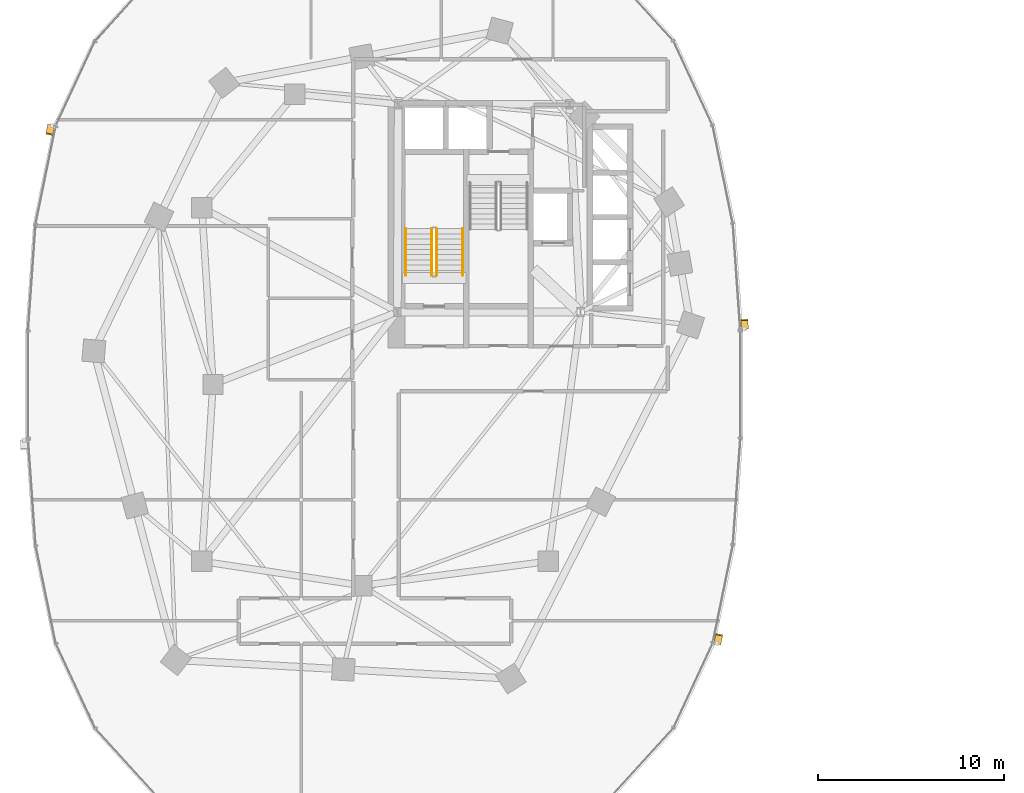
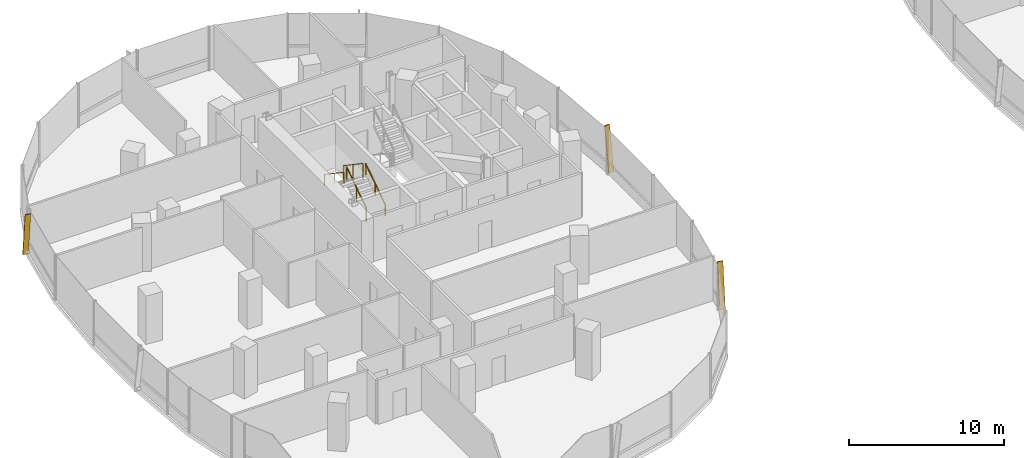
# One storey, part 19 of 22: 4 railings, 3 shading devices.
"""IFC4 building model written with IfcOpenShell, lengths in metres."""

from ifc_helpers import new_model, si_unit, direction, frame, origin, origin_2d, place, context, subcontext, project, spatial, rectangle, extrude, material, material_profile, profile_set, type_object, element, save


model = new_model("IFC4")

# Units and contexts
model_context = context("Model", 3, precision=1e-05, world=origin(), true_north=direction((0.0, 1.0)))
body_context = subcontext(model_context, "Body", "Model", "MODEL_VIEW")
ifc_project = project(units=[si_unit("LENGTHUNIT", "METRE"), si_unit("AREAUNIT", "SQUARE_METRE"), si_unit("VOLUMEUNIT", "CUBIC_METRE"), si_unit("PLANEANGLEUNIT", "RADIAN"), si_unit("MASSUNIT", "GRAM", prefix="KILO"), si_unit("THERMODYNAMICTEMPERATUREUNIT", "KELVIN"), si_unit("POWERUNIT", "WATT")], contexts=[model_context])

# Site, building, storey
site_placement = place(None, origin())
site = spatial("IfcSite", under=ifc_project, at=site_placement, CompositionType="ELEMENT")
building_placement = place(site_placement, origin())
building = spatial("IfcBuilding", under=site, at=building_placement, Name="Cundina Bronze Exchange", CompositionType="ELEMENT")
storey_placement = place(building_placement, frame((0.0, 0.0, 43.0)))
storey = spatial("IfcBuildingStorey", under=building, at=storey_placement, Name="L10", CompositionType="ELEMENT", Elevation=43.0)

# Railings
ifc_material_1 = material(Name="Steel ASTM A36 Painted", Category="steel")
railing_type_1 = type_object("IfcRailingType", Name="RLG-HND-900", PredefinedType="HANDRAIL", material=ifc_material_1)
railing_1_placement = place(storey_placement, frame((-27.7900390625, 5.85009765625, 0.18994140625)))
element("IfcRailing", 1, at=railing_1_placement, inside=storey, type_object=railing_type_1, Name="L10 ST-W1 stair handrail 1", PredefinedType="HANDRAIL", context=body_context, shape_type="SweptSolid", body=[
    extrude(rectangle(XDim=0.048095703125, YDim=0.048095703125, at=origin_2d()), frame((0.0, 0.0, 0.8759765625), z_axis=(0.0, 0.827483756001, 0.561489655786), x_axis=(-1.0, 0.0, 0.0)), (0.0, 0.0, 1.0), 3.04541015625),
    extrude(rectangle(XDim=0.0419921875, YDim=0.0419921875, at=origin_2d()), origin(), (0.0, 0.0, 1.0), 0.851806640625),
    extrude(rectangle(XDim=0.0419921875, YDim=0.0419921875, at=origin_2d()), frame((0.0, 1.260009765625, 0.85498046875)), (0.0, 0.0, 1.0), 0.851806640625),
    extrude(rectangle(XDim=0.0419921875, YDim=0.0419921875, at=origin_2d()), frame((0.0, 2.52001953125, 1.7099609375)), (0.0, 0.0, 1.0), 0.851806640625),
])
railing_2_placement = place(storey_placement, frame((-30.85009765625, 8.3701171875, 2.090087890625)))
element("IfcRailing", 2, at=railing_2_placement, inside=storey, type_object=railing_type_1, Name="L10 ST-W1 stair handrail 2", PredefinedType="HANDRAIL", context=body_context, shape_type="SweptSolid", body=[
    extrude(rectangle(XDim=0.048095703125, YDim=0.048095703125, at=origin_2d()), frame((0.0, 0.0, 0.8759765625), z_axis=(0.0, -0.827483756001, 0.561489655786), x_axis=(1.0, 0.0, 0.0)), (0.0, 0.0, 1.0), 3.04541015625),
    extrude(rectangle(XDim=0.0419921875, YDim=0.0419921875, at=origin_2d()), origin(), (0.0, 0.0, 1.0), 0.851806640625),
    extrude(rectangle(XDim=0.0419921875, YDim=0.0419921875, at=origin_2d()), frame((0.0, -1.260009765625, 0.85498046875)), (0.0, 0.0, 1.0), 0.851806640625),
    extrude(rectangle(XDim=0.0419921875, YDim=0.0419921875, at=origin_2d()), frame((0.0, -2.52001953125, 1.7099609375)), (0.0, 0.0, 1.0), 0.851806640625),
])
railing_type_2 = type_object("IfcRailingType", Name="RLG-STG-1100", PredefinedType="GUARDRAIL", material=ifc_material_1)
railing_3_placement = place(storey_placement, frame((-29.18994140625, 5.85009765625, 0.18994140625)))
element("IfcRailing", 3, at=railing_3_placement, inside=storey, type_object=railing_type_2, Name="L10 ST-W1 stair guard 1", PredefinedType="GUARDRAIL", context=body_context, shape_type="SweptSolid", body=[
    extrude(rectangle(XDim=0.048095703125, YDim=0.048095703125, at=origin_2d()), frame((0.0, 0.0, 1.076171875), z_axis=(0.0, 0.827483756001, 0.561489655786), x_axis=(-1.0, 0.0, 0.0)), (0.0, 0.0, 1.0), 3.04541015625),
    extrude(rectangle(XDim=0.0419921875, YDim=0.0419921875, at=origin_2d()), origin(), (0.0, 0.0, 1.0), 1.052001953125),
    extrude(rectangle(XDim=0.0419921875, YDim=0.0419921875, at=origin_2d()), frame((0.0, 1.260009765625, 0.85498046875)), (0.0, 0.0, 1.0), 1.052001953125),
    extrude(rectangle(XDim=0.0419921875, YDim=0.0419921875, at=origin_2d()), frame((0.0, 2.52001953125, 1.7099609375)), (0.0, 0.0, 1.0), 1.052001953125),
])
railing_4_placement = place(storey_placement, frame((-29.449951171875, 8.3701171875, 2.090087890625)))
element("IfcRailing", 4, at=railing_4_placement, inside=storey, type_object=railing_type_2, Name="L10 ST-W1 stair guard 3", PredefinedType="GUARDRAIL", context=body_context, shape_type="SweptSolid", body=[
    extrude(rectangle(XDim=0.048095703125, YDim=0.048095703125, at=origin_2d()), frame((0.0, 0.0, 1.076171875), z_axis=(0.0, -0.827483756001, 0.561489655786), x_axis=(1.0, 0.0, 0.0)), (0.0, 0.0, 1.0), 3.04541015625),
    extrude(rectangle(XDim=0.0419921875, YDim=0.0419921875, at=origin_2d()), origin(), (0.0, 0.0, 1.0), 1.052001953125),
    extrude(rectangle(XDim=0.0419921875, YDim=0.0419921875, at=origin_2d()), frame((0.0, -1.260009765625, 0.85498046875)), (0.0, 0.0, 1.0), 1.052001953125),
    extrude(rectangle(XDim=0.0419921875, YDim=0.0419921875, at=origin_2d()), frame((0.0, -2.52001953125, 1.7099609375)), (0.0, 0.0, 1.0), 1.052001953125),
])

# Shading devices
ifc_material_2 = material(Name="Anodised Bronze Aluminium 6063-T6", Category="aluminium")
ifc_material_profile = material_profile(ifc_material_2, rectangle(XDim=0.070068359375, YDim=0.3798828125, at=origin_2d()), Name="FIN70X380", Category="aluminium")
ifc_profile_set = profile_set([ifc_material_profile], Name="Anodised Bronze Aluminium 6063-T6")
shading_device_type = type_object("IfcShadingDeviceType", Name="SHD-FIN-BRZ380", PredefinedType="USERDEFINED", material=ifc_profile_set)
for number, where, z_axis, x_axis, name in (
    (5, (-12.6259765625, 2.993896484375, 0.02001953125), (-0.009645159174, 0.137059109714, 0.990515911709), (0.06953288269, -0.988072340253, 0.137398066402), "L10 Diagonal Bronze Solar Fin 1"),
    (6, (-49.89599609375, 13.911865234375, 0.02001953125), (-0.027747134956, -0.134612045151, 0.990509815096), (0.199966585563, 0.970114971774, 0.137442010309), "L10 Diagonal Bronze Solar Fin 5"),
    (7, (-14.10400390625, -13.911865234375, 0.02001953125), (0.027747134956, 0.134612045151, 0.990509815096), (-0.199966585563, -0.970114971774, 0.137442010309), "L10 Diagonal Bronze Solar Fin 5"),
):
    element("IfcShadingDevice", number, at=place(storey_placement, frame(where, z_axis=z_axis, x_axis=x_axis)), inside=storey, type_object=shading_device_type, Name=name, ObjectType="FIN", PredefinedType="USERDEFINED", context=body_context, shape_type="SweptSolid", body=[
        extrude(rectangle(XDim=0.070068359375, YDim=0.3798828125, at=origin_2d()), origin(), (0.0, 0.0, 1.0), 3.4931640625),
    ])

save(model, "model.ifc")
